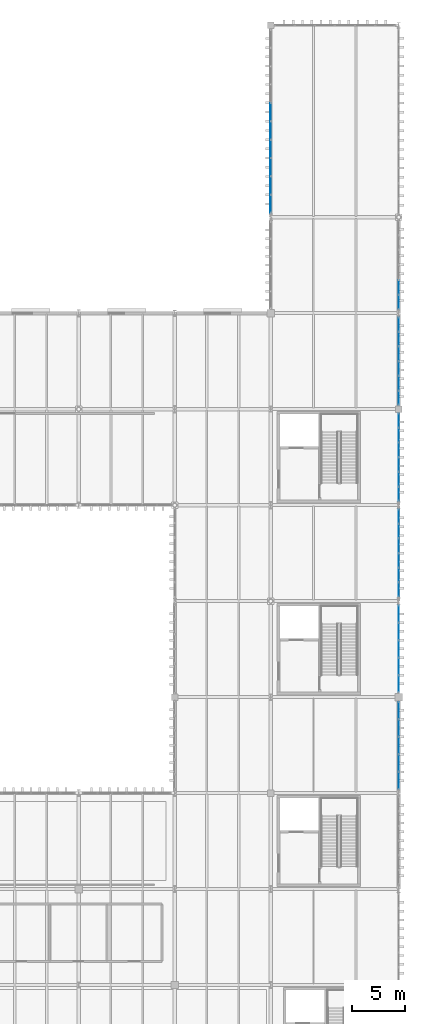
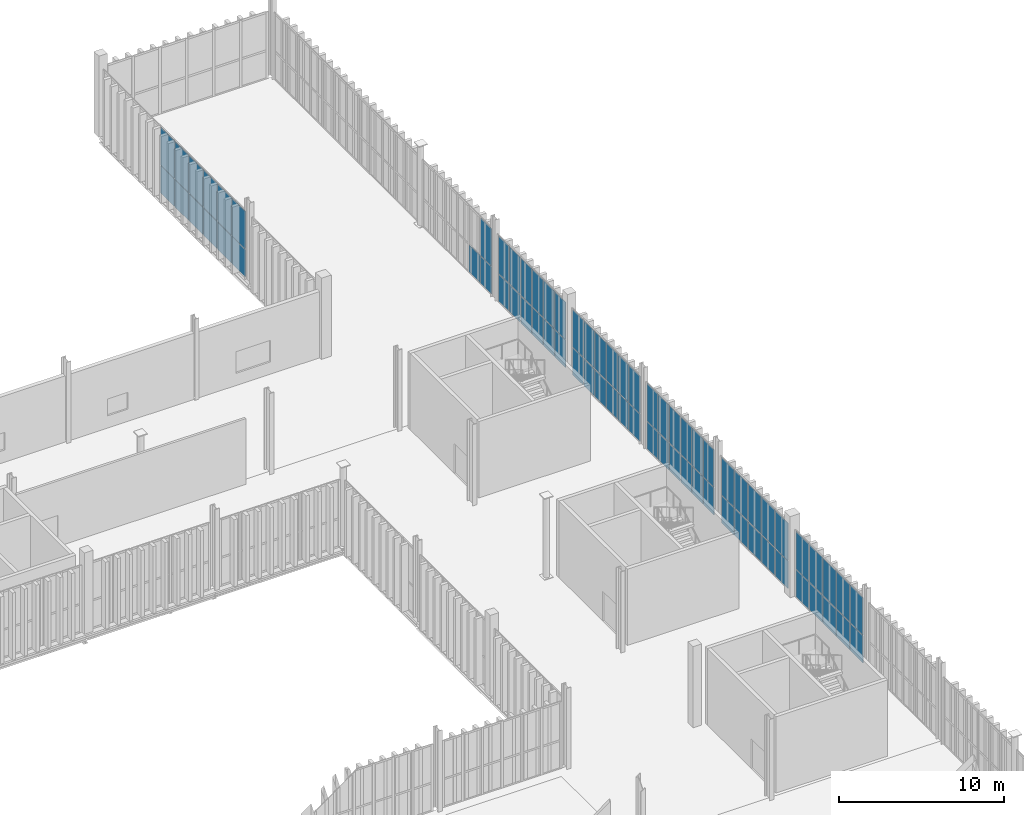
# One storey, part 165 of 211: 71 plates, 7 elements without a shape of their own.
"""IFC4 building model written with IfcOpenShell, lengths in metres."""

from ifc_helpers import new_model, si_unit, direction, frame, origin, origin_2d, place, context, subcontext, project, spatial, rectangle, extrude, material, layer, layer_set, type_object, element, aggregate, save


model = new_model("IFC4")

# Units and contexts
model_context = context("Model", 3, precision=1e-05, world=origin(), true_north=direction((0.0, 1.0)))
body_context = subcontext(model_context, "Body", "Model", "MODEL_VIEW")
ifc_project = project(units=[si_unit("LENGTHUNIT", "METRE"), si_unit("AREAUNIT", "SQUARE_METRE"), si_unit("VOLUMEUNIT", "CUBIC_METRE"), si_unit("PLANEANGLEUNIT", "RADIAN"), si_unit("MASSUNIT", "GRAM", prefix="KILO")], contexts=[model_context])

# Site, building, storey
site_placement = place(None, origin())
site = spatial("IfcSite", under=ifc_project, at=site_placement, CompositionType="ELEMENT")
building_placement = place(site_placement, origin())
building = spatial("IfcBuilding", under=site, at=building_placement, Name="Barlavento Convention Centre", CompositionType="ELEMENT")
storey_placement = place(building_placement, frame((0.0, 0.0, 6.0)))
storey = spatial("IfcBuildingStorey", under=building, at=storey_placement, Name="L01", CompositionType="ELEMENT", Elevation=6.0)

# Curtain wall, plates
ifc_material_1 = material(Name="Powder-coated aluminium and Low-E glass", Category="aluminium")
ifc_layer_1 = layer(ifc_material_1, 0.195068359375)
ifc_layer_set_1 = layer_set([ifc_layer_1], Name="ARC-CW-FOY-L01")
curtain_wall_type_1 = type_object("IfcCurtainWallType", Name="ARC-CW-FOY-L01", PredefinedType="NOTDEFINED", material=ifc_layer_set_1)
curtain_wall_1_placement = place(storey_placement, origin())
curtain_wall_1 = element("IfcCurtainWall", 1, at=curtain_wall_1_placement, inside=storey, type_object=curtain_wall_type_1, Name="L01 unitised curtain wall CW03", PredefinedType="NOTDEFINED")
ifc_material_2 = material(Name="Double-silver Low-E insulated glass", Category="glass")
ifc_layer_2 = layer(ifc_material_2, 0.028076171875)
ifc_layer_set_2 = layer_set([ifc_layer_2], Name="ARC-CWP-GLZ28")
plate_type_1 = type_object("IfcPlateType", Name="ARC-CWP-GLZ28", PredefinedType="CURTAIN_PANEL", material=ifc_layer_set_2)
plate_1_placement = place(storey_placement, frame((192.0, 64.171875, 0.06005859375), z_axis=(0.0, 0.0, 1.0), x_axis=(0.0, 1.0, 0.0)))
plate_1 = element("IfcPlate", 2, at=plate_1_placement, type_object=plate_type_1, Name="CW03 panel 1.1", PredefinedType="CURTAIN_PANEL", context=body_context, shape_type="SweptSolid", body=[
    extrude(rectangle(XDim=1.5595703125, YDim=0.028076171875, at=origin_2d()), origin(), (0.0, 0.0, 1.0), 2.010009765625),
])
plate_2_placement = place(storey_placement, frame((192.0, 64.171875, 2.1298828125), z_axis=(0.0, 0.0, 1.0), x_axis=(0.0, 1.0, 0.0)))
plate_2 = element("IfcPlate", 3, at=plate_2_placement, type_object=plate_type_1, Name="CW03 panel 1.2", PredefinedType="CURTAIN_PANEL", context=body_context, shape_type="SweptSolid", body=[
    extrude(rectangle(XDim=1.5595703125, YDim=0.028076171875, at=origin_2d()), origin(), (0.0, 0.0, 1.0), 2.760009765625),
])
plate_3_placement = place(storey_placement, frame((192.0, 65.806396484375, 0.06005859375), z_axis=(0.0, 0.0, 1.0), x_axis=(0.0, 1.0, 0.0)))
plate_3 = element("IfcPlate", 4, at=plate_3_placement, type_object=plate_type_1, Name="CW03 panel 2.1", PredefinedType="CURTAIN_PANEL", context=body_context, shape_type="SweptSolid", body=[
    extrude(rectangle(XDim=1.589599609375, YDim=0.028076171875, at=origin_2d()), origin(), (0.0, 0.0, 1.0), 2.010009765625),
])
plate_4_placement = place(storey_placement, frame((192.0, 65.806396484375, 2.1298828125), z_axis=(0.0, 0.0, 1.0), x_axis=(0.0, 1.0, 0.0)))
plate_4 = element("IfcPlate", 5, at=plate_4_placement, type_object=plate_type_1, Name="CW03 panel 2.2", PredefinedType="CURTAIN_PANEL", context=body_context, shape_type="SweptSolid", body=[
    extrude(rectangle(XDim=1.589599609375, YDim=0.028076171875, at=origin_2d()), origin(), (0.0, 0.0, 1.0), 2.760009765625),
])
plate_5_placement = place(storey_placement, frame((192.0, 67.4560546875, 0.06005859375), z_axis=(0.0, 0.0, 1.0), x_axis=(0.0, 1.0, 0.0)))
plate_5 = element("IfcPlate", 6, at=plate_5_placement, type_object=plate_type_1, Name="CW03 panel 3.1", PredefinedType="CURTAIN_PANEL", context=body_context, shape_type="SweptSolid", body=[
    extrude(rectangle(XDim=1.589599609375, YDim=0.028076171875, at=origin_2d()), origin(), (0.0, 0.0, 1.0), 2.010009765625),
])
plate_6_placement = place(storey_placement, frame((192.0, 67.4560546875, 2.1298828125), z_axis=(0.0, 0.0, 1.0), x_axis=(0.0, 1.0, 0.0)))
plate_6 = element("IfcPlate", 7, at=plate_6_placement, type_object=plate_type_1, Name="CW03 panel 3.2", PredefinedType="CURTAIN_PANEL", context=body_context, shape_type="SweptSolid", body=[
    extrude(rectangle(XDim=1.589599609375, YDim=0.028076171875, at=origin_2d()), origin(), (0.0, 0.0, 1.0), 2.760009765625),
])
plate_7_placement = place(storey_placement, frame((192.0, 69.105712890625, 0.06005859375), z_axis=(0.0, 0.0, 1.0), x_axis=(0.0, 1.0, 0.0)))
plate_7 = element("IfcPlate", 8, at=plate_7_placement, type_object=plate_type_1, Name="CW03 panel 4.1", PredefinedType="CURTAIN_PANEL", context=body_context, shape_type="SweptSolid", body=[
    extrude(rectangle(XDim=1.589599609375, YDim=0.028076171875, at=origin_2d()), origin(), (0.0, 0.0, 1.0), 2.010009765625),
])
plate_8_placement = place(storey_placement, frame((192.0, 69.105712890625, 2.1298828125), z_axis=(0.0, 0.0, 1.0), x_axis=(0.0, 1.0, 0.0)))
plate_8 = element("IfcPlate", 9, at=plate_8_placement, type_object=plate_type_1, Name="CW03 panel 4.2", PredefinedType="CURTAIN_PANEL", context=body_context, shape_type="SweptSolid", body=[
    extrude(rectangle(XDim=1.589599609375, YDim=0.028076171875, at=origin_2d()), origin(), (0.0, 0.0, 1.0), 2.760009765625),
])
plate_9_placement = place(storey_placement, frame((192.0, 70.740234375, 0.06005859375), z_axis=(0.0, 0.0, 1.0), x_axis=(0.0, 1.0, 0.0)))
plate_9 = element("IfcPlate", 10, at=plate_9_placement, type_object=plate_type_1, Name="CW03 panel 5.1", PredefinedType="CURTAIN_PANEL", context=body_context, shape_type="SweptSolid", body=[
    extrude(rectangle(XDim=1.5595703125, YDim=0.028076171875, at=origin_2d()), origin(), (0.0, 0.0, 1.0), 2.010009765625),
])
plate_10_placement = place(storey_placement, frame((192.0, 70.740234375, 2.1298828125), z_axis=(0.0, 0.0, 1.0), x_axis=(0.0, 1.0, 0.0)))
plate_10 = element("IfcPlate", 11, at=plate_10_placement, type_object=plate_type_1, Name="CW03 panel 5.2", PredefinedType="CURTAIN_PANEL", context=body_context, shape_type="SweptSolid", body=[
    extrude(rectangle(XDim=1.5595703125, YDim=0.028076171875, at=origin_2d()), origin(), (0.0, 0.0, 1.0), 2.760009765625),
])
aggregate(curtain_wall_1, [plate_1, plate_2, plate_3, plate_4, plate_5, plate_6, plate_7, plate_8, plate_9, plate_10])

curtain_wall_2_placement = place(storey_placement, origin())
curtain_wall_2 = element("IfcCurtainWall", 12, at=curtain_wall_2_placement, inside=storey, type_object=curtain_wall_type_1, Name="L01 unitised curtain wall CW03", PredefinedType="NOTDEFINED")
plate_11_placement = place(storey_placement, frame((192.0, 73.2548828125, 0.06005859375), z_axis=(0.0, 0.0, 1.0), x_axis=(0.0, 1.0, 0.0)))
plate_11 = element("IfcPlate", 13, at=plate_11_placement, type_object=plate_type_1, Name="CW03 panel 1.1", PredefinedType="CURTAIN_PANEL", context=body_context, shape_type="SweptSolid", body=[
    extrude(rectangle(XDim=1.550048828125, YDim=0.028076171875, at=origin_2d()), origin(), (0.0, 0.0, 1.0), 2.010009765625),
])
plate_12_placement = place(storey_placement, frame((192.0, 73.2548828125, 2.1298828125), z_axis=(0.0, 0.0, 1.0), x_axis=(0.0, 1.0, 0.0)))
plate_12 = element("IfcPlate", 14, at=plate_12_placement, type_object=plate_type_1, Name="CW03 panel 1.2", PredefinedType="CURTAIN_PANEL", context=body_context, shape_type="SweptSolid", body=[
    extrude(rectangle(XDim=1.550048828125, YDim=0.028076171875, at=origin_2d()), origin(), (0.0, 0.0, 1.0), 2.760009765625),
])
plate_13_placement = place(storey_placement, frame((192.0, 74.8798828125, 0.06005859375), z_axis=(0.0, 0.0, 1.0), x_axis=(0.0, 1.0, 0.0)))
plate_13 = element("IfcPlate", 15, at=plate_13_placement, type_object=plate_type_1, Name="CW03 panel 2.1", PredefinedType="CURTAIN_PANEL", context=body_context, shape_type="SweptSolid", body=[
    extrude(rectangle(XDim=1.580078125, YDim=0.028076171875, at=origin_2d()), origin(), (0.0, 0.0, 1.0), 2.010009765625),
])
plate_14_placement = place(storey_placement, frame((192.0, 74.8798828125, 2.1298828125), z_axis=(0.0, 0.0, 1.0), x_axis=(0.0, 1.0, 0.0)))
plate_14 = element("IfcPlate", 16, at=plate_14_placement, type_object=plate_type_1, Name="CW03 panel 2.2", PredefinedType="CURTAIN_PANEL", context=body_context, shape_type="SweptSolid", body=[
    extrude(rectangle(XDim=1.580078125, YDim=0.028076171875, at=origin_2d()), origin(), (0.0, 0.0, 1.0), 2.760009765625),
])
plate_15_placement = place(storey_placement, frame((192.0, 76.52001953125, 0.06005859375), z_axis=(0.0, 0.0, 1.0), x_axis=(0.0, 1.0, 0.0)))
plate_15 = element("IfcPlate", 17, at=plate_15_placement, type_object=plate_type_1, Name="CW03 panel 3.1", PredefinedType="CURTAIN_PANEL", context=body_context, shape_type="SweptSolid", body=[
    extrude(rectangle(XDim=1.580078125, YDim=0.028076171875, at=origin_2d()), origin(), (0.0, 0.0, 1.0), 2.010009765625),
])
plate_16_placement = place(storey_placement, frame((192.0, 76.52001953125, 2.1298828125), z_axis=(0.0, 0.0, 1.0), x_axis=(0.0, 1.0, 0.0)))
plate_16 = element("IfcPlate", 18, at=plate_16_placement, type_object=plate_type_1, Name="CW03 panel 3.2", PredefinedType="CURTAIN_PANEL", context=body_context, shape_type="SweptSolid", body=[
    extrude(rectangle(XDim=1.580078125, YDim=0.028076171875, at=origin_2d()), origin(), (0.0, 0.0, 1.0), 2.760009765625),
])
plate_17_placement = place(storey_placement, frame((192.0, 78.159912109375, 0.06005859375), z_axis=(0.0, 0.0, 1.0), x_axis=(0.0, 1.0, 0.0)))
plate_17 = element("IfcPlate", 19, at=plate_17_placement, type_object=plate_type_1, Name="CW03 panel 4.1", PredefinedType="CURTAIN_PANEL", context=body_context, shape_type="SweptSolid", body=[
    extrude(rectangle(XDim=1.580078125, YDim=0.028076171875, at=origin_2d()), origin(), (0.0, 0.0, 1.0), 2.010009765625),
])
plate_18_placement = place(storey_placement, frame((192.0, 78.159912109375, 2.1298828125), z_axis=(0.0, 0.0, 1.0), x_axis=(0.0, 1.0, 0.0)))
plate_18 = element("IfcPlate", 20, at=plate_18_placement, type_object=plate_type_1, Name="CW03 panel 4.2", PredefinedType="CURTAIN_PANEL", context=body_context, shape_type="SweptSolid", body=[
    extrude(rectangle(XDim=1.580078125, YDim=0.028076171875, at=origin_2d()), origin(), (0.0, 0.0, 1.0), 2.760009765625),
])
plate_19_placement = place(storey_placement, frame((192.0, 79.784912109375, 0.06005859375), z_axis=(0.0, 0.0, 1.0), x_axis=(0.0, 1.0, 0.0)))
plate_19 = element("IfcPlate", 21, at=plate_19_placement, type_object=plate_type_1, Name="CW03 panel 5.1", PredefinedType="CURTAIN_PANEL", context=body_context, shape_type="SweptSolid", body=[
    extrude(rectangle(XDim=1.550048828125, YDim=0.028076171875, at=origin_2d()), origin(), (0.0, 0.0, 1.0), 2.010009765625),
])
plate_20_placement = place(storey_placement, frame((192.0, 79.784912109375, 2.1298828125), z_axis=(0.0, 0.0, 1.0), x_axis=(0.0, 1.0, 0.0)))
plate_20 = element("IfcPlate", 22, at=plate_20_placement, type_object=plate_type_1, Name="CW03 panel 5.2", PredefinedType="CURTAIN_PANEL", context=body_context, shape_type="SweptSolid", body=[
    extrude(rectangle(XDim=1.550048828125, YDim=0.028076171875, at=origin_2d()), origin(), (0.0, 0.0, 1.0), 2.760009765625),
])
aggregate(curtain_wall_2, [plate_11, plate_12, plate_13, plate_14, plate_15, plate_16, plate_17, plate_18, plate_19, plate_20])

curtain_wall_3_placement = place(storey_placement, origin())
curtain_wall_3 = element("IfcCurtainWall", 23, at=curtain_wall_3_placement, inside=storey, type_object=curtain_wall_type_1, Name="L01 unitised curtain wall CW03", PredefinedType="NOTDEFINED")
plate_21_placement = place(storey_placement, frame((192.0, 82.08251953125, 0.06005859375), z_axis=(0.0, 0.0, 1.0), x_axis=(0.0, 1.0, 0.0)))
plate_21 = element("IfcPlate", 24, at=plate_21_placement, type_object=plate_type_1, Name="CW03 panel 1.1", PredefinedType="CURTAIN_PANEL", context=body_context, shape_type="SweptSolid", body=[
    extrude(rectangle(XDim=1.284912109375, YDim=0.028076171875, at=origin_2d()), origin(), (0.0, 0.0, 1.0), 2.010009765625),
])
plate_22_placement = place(storey_placement, frame((192.0, 82.08251953125, 2.1298828125), z_axis=(0.0, 0.0, 1.0), x_axis=(0.0, 1.0, 0.0)))
plate_22 = element("IfcPlate", 25, at=plate_22_placement, type_object=plate_type_1, Name="CW03 panel 1.2", PredefinedType="CURTAIN_PANEL", context=body_context, shape_type="SweptSolid", body=[
    extrude(rectangle(XDim=1.284912109375, YDim=0.028076171875, at=origin_2d()), origin(), (0.0, 0.0, 1.0), 2.760009765625),
])
plate_23_placement = place(storey_placement, frame((192.0, 83.4423828125, 0.06005859375), z_axis=(0.0, 0.0, 1.0), x_axis=(0.0, 1.0, 0.0)))
plate_23 = element("IfcPlate", 26, at=plate_23_placement, type_object=plate_type_1, Name="CW03 panel 2.1", PredefinedType="CURTAIN_PANEL", context=body_context, shape_type="SweptSolid", body=[
    extrude(rectangle(XDim=1.31494140625, YDim=0.028076171875, at=origin_2d()), origin(), (0.0, 0.0, 1.0), 2.010009765625),
])
plate_24_placement = place(storey_placement, frame((192.0, 83.4423828125, 2.1298828125), z_axis=(0.0, 0.0, 1.0), x_axis=(0.0, 1.0, 0.0)))
plate_24 = element("IfcPlate", 27, at=plate_24_placement, type_object=plate_type_1, Name="CW03 panel 2.2", PredefinedType="CURTAIN_PANEL", context=body_context, shape_type="SweptSolid", body=[
    extrude(rectangle(XDim=1.31494140625, YDim=0.028076171875, at=origin_2d()), origin(), (0.0, 0.0, 1.0), 2.760009765625),
])
plate_25_placement = place(storey_placement, frame((192.0, 84.8173828125, 0.06005859375), z_axis=(0.0, 0.0, 1.0), x_axis=(0.0, 1.0, 0.0)))
plate_25 = element("IfcPlate", 28, at=plate_25_placement, type_object=plate_type_1, Name="CW03 panel 3.1", PredefinedType="CURTAIN_PANEL", context=body_context, shape_type="SweptSolid", body=[
    extrude(rectangle(XDim=1.31494140625, YDim=0.028076171875, at=origin_2d()), origin(), (0.0, 0.0, 1.0), 2.010009765625),
])
plate_26_placement = place(storey_placement, frame((192.0, 84.8173828125, 2.1298828125), z_axis=(0.0, 0.0, 1.0), x_axis=(0.0, 1.0, 0.0)))
plate_26 = element("IfcPlate", 29, at=plate_26_placement, type_object=plate_type_1, Name="CW03 panel 3.2", PredefinedType="CURTAIN_PANEL", context=body_context, shape_type="SweptSolid", body=[
    extrude(rectangle(XDim=1.31494140625, YDim=0.028076171875, at=origin_2d()), origin(), (0.0, 0.0, 1.0), 2.760009765625),
])
plate_27_placement = place(storey_placement, frame((192.0, 86.1923828125, 0.06005859375), z_axis=(0.0, 0.0, 1.0), x_axis=(0.0, 1.0, 0.0)))
plate_27 = element("IfcPlate", 30, at=plate_27_placement, type_object=plate_type_1, Name="CW03 panel 4.1", PredefinedType="CURTAIN_PANEL", context=body_context, shape_type="SweptSolid", body=[
    extrude(rectangle(XDim=1.31494140625, YDim=0.028076171875, at=origin_2d()), origin(), (0.0, 0.0, 1.0), 2.010009765625),
])
plate_28_placement = place(storey_placement, frame((192.0, 86.1923828125, 2.1298828125), z_axis=(0.0, 0.0, 1.0), x_axis=(0.0, 1.0, 0.0)))
plate_28 = element("IfcPlate", 31, at=plate_28_placement, type_object=plate_type_1, Name="CW03 panel 4.2", PredefinedType="CURTAIN_PANEL", context=body_context, shape_type="SweptSolid", body=[
    extrude(rectangle(XDim=1.31494140625, YDim=0.028076171875, at=origin_2d()), origin(), (0.0, 0.0, 1.0), 2.760009765625),
])
plate_29_placement = place(storey_placement, frame((192.0, 87.5673828125, 0.06005859375), z_axis=(0.0, 0.0, 1.0), x_axis=(0.0, 1.0, 0.0)))
plate_29 = element("IfcPlate", 32, at=plate_29_placement, type_object=plate_type_1, Name="CW03 panel 5.1", PredefinedType="CURTAIN_PANEL", context=body_context, shape_type="SweptSolid", body=[
    extrude(rectangle(XDim=1.31494140625, YDim=0.028076171875, at=origin_2d()), origin(), (0.0, 0.0, 1.0), 2.010009765625),
])
plate_30_placement = place(storey_placement, frame((192.0, 87.5673828125, 2.1298828125), z_axis=(0.0, 0.0, 1.0), x_axis=(0.0, 1.0, 0.0)))
plate_30 = element("IfcPlate", 33, at=plate_30_placement, type_object=plate_type_1, Name="CW03 panel 5.2", PredefinedType="CURTAIN_PANEL", context=body_context, shape_type="SweptSolid", body=[
    extrude(rectangle(XDim=1.31494140625, YDim=0.028076171875, at=origin_2d()), origin(), (0.0, 0.0, 1.0), 2.760009765625),
])
plate_31_placement = place(storey_placement, frame((192.0, 88.927490234375, 0.06005859375), z_axis=(0.0, 0.0, 1.0), x_axis=(0.0, 1.0, 0.0)))
plate_31 = element("IfcPlate", 34, at=plate_31_placement, type_object=plate_type_1, Name="CW03 panel 6.1", PredefinedType="CURTAIN_PANEL", context=body_context, shape_type="SweptSolid", body=[
    extrude(rectangle(XDim=1.284912109375, YDim=0.028076171875, at=origin_2d()), origin(), (0.0, 0.0, 1.0), 2.010009765625),
])
plate_32_placement = place(storey_placement, frame((192.0, 88.927490234375, 2.1298828125), z_axis=(0.0, 0.0, 1.0), x_axis=(0.0, 1.0, 0.0)))
plate_32 = element("IfcPlate", 35, at=plate_32_placement, type_object=plate_type_1, Name="CW03 panel 6.2", PredefinedType="CURTAIN_PANEL", context=body_context, shape_type="SweptSolid", body=[
    extrude(rectangle(XDim=1.284912109375, YDim=0.028076171875, at=origin_2d()), origin(), (0.0, 0.0, 1.0), 2.760009765625),
])
aggregate(curtain_wall_3, [plate_21, plate_22, plate_23, plate_24, plate_25, plate_26, plate_27, plate_28, plate_29, plate_30, plate_31, plate_32])

curtain_wall_4_placement = place(storey_placement, origin())
curtain_wall_4 = element("IfcCurtainWall", 36, at=curtain_wall_4_placement, inside=storey, type_object=curtain_wall_type_1, Name="L01 unitised curtain wall CW03", PredefinedType="NOTDEFINED")
plate_33_placement = place(storey_placement, frame((192.0, 91.0732421875, 0.06005859375), z_axis=(0.0, 0.0, 1.0), x_axis=(0.0, 1.0, 0.0)))
plate_33 = element("IfcPlate", 37, at=plate_33_placement, type_object=plate_type_1, Name="CW03 panel 1.1", PredefinedType="CURTAIN_PANEL", context=body_context, shape_type="SweptSolid", body=[
    extrude(rectangle(XDim=1.28662109375, YDim=0.028076171875, at=origin_2d()), origin(), (0.0, 0.0, 1.0), 2.010009765625),
])
plate_34_placement = place(storey_placement, frame((192.0, 91.0732421875, 2.1298828125), z_axis=(0.0, 0.0, 1.0), x_axis=(0.0, 1.0, 0.0)))
plate_34 = element("IfcPlate", 38, at=plate_34_placement, type_object=plate_type_1, Name="CW03 panel 1.2", PredefinedType="CURTAIN_PANEL", context=body_context, shape_type="SweptSolid", body=[
    extrude(rectangle(XDim=1.28662109375, YDim=0.028076171875, at=origin_2d()), origin(), (0.0, 0.0, 1.0), 2.760009765625),
])
plate_35_placement = place(storey_placement, frame((192.0, 92.43505859375, 0.06005859375), z_axis=(0.0, 0.0, 1.0), x_axis=(0.0, 1.0, 0.0)))
plate_35 = element("IfcPlate", 39, at=plate_35_placement, type_object=plate_type_1, Name="CW03 panel 2.1", PredefinedType="CURTAIN_PANEL", context=body_context, shape_type="SweptSolid", body=[
    extrude(rectangle(XDim=1.316650390625, YDim=0.028076171875, at=origin_2d()), origin(), (0.0, 0.0, 1.0), 2.010009765625),
])
plate_36_placement = place(storey_placement, frame((192.0, 92.43505859375, 2.1298828125), z_axis=(0.0, 0.0, 1.0), x_axis=(0.0, 1.0, 0.0)))
plate_36 = element("IfcPlate", 40, at=plate_36_placement, type_object=plate_type_1, Name="CW03 panel 2.2", PredefinedType="CURTAIN_PANEL", context=body_context, shape_type="SweptSolid", body=[
    extrude(rectangle(XDim=1.316650390625, YDim=0.028076171875, at=origin_2d()), origin(), (0.0, 0.0, 1.0), 2.760009765625),
])
plate_37_placement = place(storey_placement, frame((192.0, 93.811767578125, 0.06005859375), z_axis=(0.0, 0.0, 1.0), x_axis=(0.0, 1.0, 0.0)))
plate_37 = element("IfcPlate", 41, at=plate_37_placement, type_object=plate_type_1, Name="CW03 panel 3.1", PredefinedType="CURTAIN_PANEL", context=body_context, shape_type="SweptSolid", body=[
    extrude(rectangle(XDim=1.316650390625, YDim=0.028076171875, at=origin_2d()), origin(), (0.0, 0.0, 1.0), 2.010009765625),
])
plate_38_placement = place(storey_placement, frame((192.0, 93.811767578125, 2.1298828125), z_axis=(0.0, 0.0, 1.0), x_axis=(0.0, 1.0, 0.0)))
plate_38 = element("IfcPlate", 42, at=plate_38_placement, type_object=plate_type_1, Name="CW03 panel 3.2", PredefinedType="CURTAIN_PANEL", context=body_context, shape_type="SweptSolid", body=[
    extrude(rectangle(XDim=1.316650390625, YDim=0.028076171875, at=origin_2d()), origin(), (0.0, 0.0, 1.0), 2.760009765625),
])
plate_39_placement = place(storey_placement, frame((192.0, 95.188232421875, 0.06005859375), z_axis=(0.0, 0.0, 1.0), x_axis=(0.0, 1.0, 0.0)))
plate_39 = element("IfcPlate", 43, at=plate_39_placement, type_object=plate_type_1, Name="CW03 panel 4.1", PredefinedType="CURTAIN_PANEL", context=body_context, shape_type="SweptSolid", body=[
    extrude(rectangle(XDim=1.316650390625, YDim=0.028076171875, at=origin_2d()), origin(), (0.0, 0.0, 1.0), 2.010009765625),
])
plate_40_placement = place(storey_placement, frame((192.0, 95.188232421875, 2.1298828125), z_axis=(0.0, 0.0, 1.0), x_axis=(0.0, 1.0, 0.0)))
plate_40 = element("IfcPlate", 44, at=plate_40_placement, type_object=plate_type_1, Name="CW03 panel 4.2", PredefinedType="CURTAIN_PANEL", context=body_context, shape_type="SweptSolid", body=[
    extrude(rectangle(XDim=1.316650390625, YDim=0.028076171875, at=origin_2d()), origin(), (0.0, 0.0, 1.0), 2.760009765625),
])
plate_41_placement = place(storey_placement, frame((192.0, 96.56494140625, 0.06005859375), z_axis=(0.0, 0.0, 1.0), x_axis=(0.0, 1.0, 0.0)))
plate_41 = element("IfcPlate", 45, at=plate_41_placement, type_object=plate_type_1, Name="CW03 panel 5.1", PredefinedType="CURTAIN_PANEL", context=body_context, shape_type="SweptSolid", body=[
    extrude(rectangle(XDim=1.316650390625, YDim=0.028076171875, at=origin_2d()), origin(), (0.0, 0.0, 1.0), 2.010009765625),
])
plate_42_placement = place(storey_placement, frame((192.0, 96.56494140625, 2.1298828125), z_axis=(0.0, 0.0, 1.0), x_axis=(0.0, 1.0, 0.0)))
plate_42 = element("IfcPlate", 46, at=plate_42_placement, type_object=plate_type_1, Name="CW03 panel 5.2", PredefinedType="CURTAIN_PANEL", context=body_context, shape_type="SweptSolid", body=[
    extrude(rectangle(XDim=1.316650390625, YDim=0.028076171875, at=origin_2d()), origin(), (0.0, 0.0, 1.0), 2.760009765625),
])
plate_43_placement = place(storey_placement, frame((192.0, 97.9267578125, 0.06005859375), z_axis=(0.0, 0.0, 1.0), x_axis=(0.0, 1.0, 0.0)))
plate_43 = element("IfcPlate", 47, at=plate_43_placement, type_object=plate_type_1, Name="CW03 panel 6.1", PredefinedType="CURTAIN_PANEL", context=body_context, shape_type="SweptSolid", body=[
    extrude(rectangle(XDim=1.28662109375, YDim=0.028076171875, at=origin_2d()), origin(), (0.0, 0.0, 1.0), 2.010009765625),
])
plate_44_placement = place(storey_placement, frame((192.0, 97.9267578125, 2.1298828125), z_axis=(0.0, 0.0, 1.0), x_axis=(0.0, 1.0, 0.0)))
plate_44 = element("IfcPlate", 48, at=plate_44_placement, type_object=plate_type_1, Name="CW03 panel 6.2", PredefinedType="CURTAIN_PANEL", context=body_context, shape_type="SweptSolid", body=[
    extrude(rectangle(XDim=1.28662109375, YDim=0.028076171875, at=origin_2d()), origin(), (0.0, 0.0, 1.0), 2.760009765625),
])
aggregate(curtain_wall_4, [plate_33, plate_34, plate_35, plate_36, plate_37, plate_38, plate_39, plate_40, plate_41, plate_42, plate_43, plate_44])

curtain_wall_5_placement = place(storey_placement, origin())
curtain_wall_5 = element("IfcCurtainWall", 49, at=curtain_wall_5_placement, inside=storey, type_object=curtain_wall_type_1, Name="L01 unitised curtain wall CW03", PredefinedType="NOTDEFINED")
plate_45_placement = place(storey_placement, frame((192.0, 100.074462890625, 0.06005859375), z_axis=(0.0, 0.0, 1.0), x_axis=(0.0, 1.0, 0.0)))
plate_45 = element("IfcPlate", 50, at=plate_45_placement, type_object=plate_type_1, Name="CW03 panel 1.1", PredefinedType="CURTAIN_PANEL", context=body_context, shape_type="SweptSolid", body=[
    extrude(rectangle(XDim=1.2890625, YDim=0.028076171875, at=origin_2d()), origin(), (0.0, 0.0, 1.0), 2.010009765625),
])
plate_46_placement = place(storey_placement, frame((192.0, 100.074462890625, 2.1298828125), z_axis=(0.0, 0.0, 1.0), x_axis=(0.0, 1.0, 0.0)))
plate_46 = element("IfcPlate", 51, at=plate_46_placement, type_object=plate_type_1, Name="CW03 panel 1.2", PredefinedType="CURTAIN_PANEL", context=body_context, shape_type="SweptSolid", body=[
    extrude(rectangle(XDim=1.2890625, YDim=0.028076171875, at=origin_2d()), origin(), (0.0, 0.0, 1.0), 2.760009765625),
])
plate_47_placement = place(storey_placement, frame((192.0, 101.4384765625, 0.06005859375), z_axis=(0.0, 0.0, 1.0), x_axis=(0.0, 1.0, 0.0)))
plate_47 = element("IfcPlate", 52, at=plate_47_placement, type_object=plate_type_1, Name="CW03 panel 2.1", PredefinedType="CURTAIN_PANEL", context=body_context, shape_type="SweptSolid", body=[
    extrude(rectangle(XDim=1.319091796875, YDim=0.028076171875, at=origin_2d()), origin(), (0.0, 0.0, 1.0), 2.010009765625),
])
plate_48_placement = place(storey_placement, frame((192.0, 101.4384765625, 2.1298828125), z_axis=(0.0, 0.0, 1.0), x_axis=(0.0, 1.0, 0.0)))
plate_48 = element("IfcPlate", 53, at=plate_48_placement, type_object=plate_type_1, Name="CW03 panel 2.2", PredefinedType="CURTAIN_PANEL", context=body_context, shape_type="SweptSolid", body=[
    extrude(rectangle(XDim=1.319091796875, YDim=0.028076171875, at=origin_2d()), origin(), (0.0, 0.0, 1.0), 2.760009765625),
])
plate_49_placement = place(storey_placement, frame((192.0, 102.8173828125, 0.06005859375), z_axis=(0.0, 0.0, 1.0), x_axis=(0.0, 1.0, 0.0)))
plate_49 = element("IfcPlate", 54, at=plate_49_placement, type_object=plate_type_1, Name="CW03 panel 3.1", PredefinedType="CURTAIN_PANEL", context=body_context, shape_type="SweptSolid", body=[
    extrude(rectangle(XDim=1.319091796875, YDim=0.028076171875, at=origin_2d()), origin(), (0.0, 0.0, 1.0), 2.010009765625),
])
plate_50_placement = place(storey_placement, frame((192.0, 102.8173828125, 2.1298828125), z_axis=(0.0, 0.0, 1.0), x_axis=(0.0, 1.0, 0.0)))
plate_50 = element("IfcPlate", 55, at=plate_50_placement, type_object=plate_type_1, Name="CW03 panel 3.2", PredefinedType="CURTAIN_PANEL", context=body_context, shape_type="SweptSolid", body=[
    extrude(rectangle(XDim=1.319091796875, YDim=0.028076171875, at=origin_2d()), origin(), (0.0, 0.0, 1.0), 2.760009765625),
])
plate_51_placement = place(storey_placement, frame((192.0, 104.196533203125, 0.06005859375), z_axis=(0.0, 0.0, 1.0), x_axis=(0.0, 1.0, 0.0)))
plate_51 = element("IfcPlate", 56, at=plate_51_placement, type_object=plate_type_1, Name="CW03 panel 4.1", PredefinedType="CURTAIN_PANEL", context=body_context, shape_type="SweptSolid", body=[
    extrude(rectangle(XDim=1.319091796875, YDim=0.028076171875, at=origin_2d()), origin(), (0.0, 0.0, 1.0), 2.010009765625),
])
plate_52_placement = place(storey_placement, frame((192.0, 104.196533203125, 2.1298828125), z_axis=(0.0, 0.0, 1.0), x_axis=(0.0, 1.0, 0.0)))
plate_52 = element("IfcPlate", 57, at=plate_52_placement, type_object=plate_type_1, Name="CW03 panel 4.2", PredefinedType="CURTAIN_PANEL", context=body_context, shape_type="SweptSolid", body=[
    extrude(rectangle(XDim=1.319091796875, YDim=0.028076171875, at=origin_2d()), origin(), (0.0, 0.0, 1.0), 2.760009765625),
])
plate_53_placement = place(storey_placement, frame((192.0, 105.575439453125, 0.06005859375), z_axis=(0.0, 0.0, 1.0), x_axis=(0.0, 1.0, 0.0)))
plate_53 = element("IfcPlate", 58, at=plate_53_placement, type_object=plate_type_1, Name="CW03 panel 5.1", PredefinedType="CURTAIN_PANEL", context=body_context, shape_type="SweptSolid", body=[
    extrude(rectangle(XDim=1.319091796875, YDim=0.028076171875, at=origin_2d()), origin(), (0.0, 0.0, 1.0), 2.010009765625),
])
plate_54_placement = place(storey_placement, frame((192.0, 105.575439453125, 2.1298828125), z_axis=(0.0, 0.0, 1.0), x_axis=(0.0, 1.0, 0.0)))
plate_54 = element("IfcPlate", 59, at=plate_54_placement, type_object=plate_type_1, Name="CW03 panel 5.2", PredefinedType="CURTAIN_PANEL", context=body_context, shape_type="SweptSolid", body=[
    extrude(rectangle(XDim=1.319091796875, YDim=0.028076171875, at=origin_2d()), origin(), (0.0, 0.0, 1.0), 2.760009765625),
])
plate_55_placement = place(storey_placement, frame((192.0, 106.939453125, 0.06005859375), z_axis=(0.0, 0.0, 1.0), x_axis=(0.0, 1.0, 0.0)))
plate_55 = element("IfcPlate", 60, at=plate_55_placement, type_object=plate_type_1, Name="CW03 panel 6.1", PredefinedType="CURTAIN_PANEL", context=body_context, shape_type="SweptSolid", body=[
    extrude(rectangle(XDim=1.2890625, YDim=0.028076171875, at=origin_2d()), origin(), (0.0, 0.0, 1.0), 2.010009765625),
])
plate_56_placement = place(storey_placement, frame((192.0, 106.939453125, 2.1298828125), z_axis=(0.0, 0.0, 1.0), x_axis=(0.0, 1.0, 0.0)))
plate_56 = element("IfcPlate", 61, at=plate_56_placement, type_object=plate_type_1, Name="CW03 panel 6.2", PredefinedType="CURTAIN_PANEL", context=body_context, shape_type="SweptSolid", body=[
    extrude(rectangle(XDim=1.2890625, YDim=0.028076171875, at=origin_2d()), origin(), (0.0, 0.0, 1.0), 2.760009765625),
])
aggregate(curtain_wall_5, [plate_45, plate_46, plate_47, plate_48, plate_49, plate_50, plate_51, plate_52, plate_53, plate_54, plate_55, plate_56])

curtain_wall_6_placement = place(storey_placement, origin())
curtain_wall_6 = element("IfcCurtainWall", 62, at=curtain_wall_6_placement, inside=storey, type_object=curtain_wall_type_1, Name="L01 unitised curtain wall CW03", PredefinedType="NOTDEFINED")
plate_57_placement = place(storey_placement, frame((192.0, 109.068603515625, 0.06005859375), z_axis=(0.0, 0.0, 1.0), x_axis=(0.0, 1.0, 0.0)))
plate_57 = element("IfcPlate", 63, at=plate_57_placement, type_object=plate_type_1, Name="CW03 panel 1.1", PredefinedType="CURTAIN_PANEL", context=body_context, shape_type="SweptSolid", body=[
    extrude(rectangle(XDim=1.30517578125, YDim=0.028076171875, at=origin_2d()), origin(), (0.0, 0.0, 1.0), 2.010009765625),
])
plate_58_placement = place(storey_placement, frame((192.0, 109.068603515625, 2.1298828125), z_axis=(0.0, 0.0, 1.0), x_axis=(0.0, 1.0, 0.0)))
plate_58 = element("IfcPlate", 64, at=plate_58_placement, type_object=plate_type_1, Name="CW03 panel 1.2", PredefinedType="CURTAIN_PANEL", context=body_context, shape_type="SweptSolid", body=[
    extrude(rectangle(XDim=1.30517578125, YDim=0.028076171875, at=origin_2d()), origin(), (0.0, 0.0, 1.0), 2.760009765625),
])
plate_59_placement = place(storey_placement, frame((192.0, 110.44873046875, 0.06005859375), z_axis=(0.0, 0.0, 1.0), x_axis=(0.0, 1.0, 0.0)))
plate_59 = element("IfcPlate", 65, at=plate_59_placement, type_object=plate_type_1, Name="CW03 panel 2.1", PredefinedType="CURTAIN_PANEL", context=body_context, shape_type="SweptSolid", body=[
    extrude(rectangle(XDim=1.335205078125, YDim=0.028076171875, at=origin_2d()), origin(), (0.0, 0.0, 1.0), 2.010009765625),
])
aggregate(curtain_wall_6, [plate_57, plate_58, plate_59])

ifc_layer_3 = layer(ifc_material_1, 0.179931640625)
ifc_layer_set_3 = layer_set([ifc_layer_3], Name="ARC-CW-EXH-L01")
curtain_wall_type_2 = type_object("IfcCurtainWallType", Name="ARC-CW-EXH-L01", PredefinedType="NOTDEFINED", material=ifc_layer_set_3)
curtain_wall_7_placement = place(storey_placement, origin())
curtain_wall_7 = element("IfcCurtainWall", 66, at=curtain_wall_7_placement, inside=storey, type_object=curtain_wall_type_2, Name="L01 unitised curtain wall CW04", PredefinedType="NOTDEFINED")
ifc_material_3 = material(Name="Glazed terracotta spandrel panel", Category="masonry")
ifc_layer_4 = layer(ifc_material_3, 0.044921875)
ifc_layer_set_4 = layer_set([ifc_layer_4], Name="ARC-CWP-TER45")
plate_type_2 = type_object("IfcPlateType", Name="ARC-CWP-TER45", PredefinedType="CURTAIN_PANEL", material=ifc_layer_set_4)
plate_60_placement = place(storey_placement, frame((180.0, 118.257568359375, 0.06005859375), z_axis=(0.0, 0.0, 1.0), x_axis=(0.0, 1.0, 0.0)))
plate_60 = element("IfcPlate", 67, at=plate_60_placement, type_object=plate_type_2, Name="CW04 panel 1.1", PredefinedType="CURTAIN_PANEL", context=body_context, shape_type="SweptSolid", body=[
    extrude(rectangle(XDim=1.635009765625, YDim=0.044921875, at=origin_2d()), origin(), (0.0, 0.0, 1.0), 2.010009765625),
])
plate_61_placement = place(storey_placement, frame((180.0, 118.257568359375, 2.1298828125), z_axis=(0.0, 0.0, 1.0), x_axis=(0.0, 1.0, 0.0)))
plate_61 = element("IfcPlate", 68, at=plate_61_placement, type_object=plate_type_2, Name="CW04 panel 1.2", PredefinedType="CURTAIN_PANEL", context=body_context, shape_type="SweptSolid", body=[
    extrude(rectangle(XDim=1.635009765625, YDim=0.044921875, at=origin_2d()), origin(), (0.0, 0.0, 1.0), 2.760009765625),
])
plate_62_placement = place(storey_placement, frame((180.0, 119.967529296875, 0.06005859375), z_axis=(0.0, 0.0, 1.0), x_axis=(0.0, 1.0, 0.0)))
plate_62 = element("IfcPlate", 69, at=plate_62_placement, type_object=plate_type_2, Name="CW04 panel 2.1", PredefinedType="CURTAIN_PANEL", context=body_context, shape_type="SweptSolid", body=[
    extrude(rectangle(XDim=1.6650390625, YDim=0.044921875, at=origin_2d()), origin(), (0.0, 0.0, 1.0), 2.010009765625),
])
plate_63_placement = place(storey_placement, frame((180.0, 119.967529296875, 2.1298828125), z_axis=(0.0, 0.0, 1.0), x_axis=(0.0, 1.0, 0.0)))
plate_63 = element("IfcPlate", 70, at=plate_63_placement, type_object=plate_type_2, Name="CW04 panel 2.2", PredefinedType="CURTAIN_PANEL", context=body_context, shape_type="SweptSolid", body=[
    extrude(rectangle(XDim=1.6650390625, YDim=0.044921875, at=origin_2d()), origin(), (0.0, 0.0, 1.0), 2.760009765625),
])
plate_64_placement = place(storey_placement, frame((180.0, 121.6923828125, 0.06005859375), z_axis=(0.0, 0.0, 1.0), x_axis=(0.0, 1.0, 0.0)))
plate_64 = element("IfcPlate", 71, at=plate_64_placement, type_object=plate_type_2, Name="CW04 panel 3.1", PredefinedType="CURTAIN_PANEL", context=body_context, shape_type="SweptSolid", body=[
    extrude(rectangle(XDim=1.6650390625, YDim=0.044921875, at=origin_2d()), origin(), (0.0, 0.0, 1.0), 2.010009765625),
])
plate_65_placement = place(storey_placement, frame((180.0, 121.6923828125, 2.1298828125), z_axis=(0.0, 0.0, 1.0), x_axis=(0.0, 1.0, 0.0)))
plate_65 = element("IfcPlate", 72, at=plate_65_placement, type_object=plate_type_2, Name="CW04 panel 3.2", PredefinedType="CURTAIN_PANEL", context=body_context, shape_type="SweptSolid", body=[
    extrude(rectangle(XDim=1.6650390625, YDim=0.044921875, at=origin_2d()), origin(), (0.0, 0.0, 1.0), 2.760009765625),
])
plate_66_placement = place(storey_placement, frame((180.0, 123.41748046875, 0.06005859375), z_axis=(0.0, 0.0, 1.0), x_axis=(0.0, 1.0, 0.0)))
plate_66 = element("IfcPlate", 73, at=plate_66_placement, type_object=plate_type_2, Name="CW04 panel 4.1", PredefinedType="CURTAIN_PANEL", context=body_context, shape_type="SweptSolid", body=[
    extrude(rectangle(XDim=1.6650390625, YDim=0.044921875, at=origin_2d()), origin(), (0.0, 0.0, 1.0), 2.010009765625),
])
plate_67_placement = place(storey_placement, frame((180.0, 123.41748046875, 2.1298828125), z_axis=(0.0, 0.0, 1.0), x_axis=(0.0, 1.0, 0.0)))
plate_67 = element("IfcPlate", 74, at=plate_67_placement, type_object=plate_type_2, Name="CW04 panel 4.2", PredefinedType="CURTAIN_PANEL", context=body_context, shape_type="SweptSolid", body=[
    extrude(rectangle(XDim=1.6650390625, YDim=0.044921875, at=origin_2d()), origin(), (0.0, 0.0, 1.0), 2.760009765625),
])
plate_68_placement = place(storey_placement, frame((180.0, 125.142578125, 0.06005859375), z_axis=(0.0, 0.0, 1.0), x_axis=(0.0, 1.0, 0.0)))
plate_68 = element("IfcPlate", 75, at=plate_68_placement, type_object=plate_type_2, Name="CW04 panel 5.1", PredefinedType="CURTAIN_PANEL", context=body_context, shape_type="SweptSolid", body=[
    extrude(rectangle(XDim=1.6650390625, YDim=0.044921875, at=origin_2d()), origin(), (0.0, 0.0, 1.0), 2.010009765625),
])
plate_69_placement = place(storey_placement, frame((180.0, 125.142578125, 2.1298828125), z_axis=(0.0, 0.0, 1.0), x_axis=(0.0, 1.0, 0.0)))
plate_69 = element("IfcPlate", 76, at=plate_69_placement, type_object=plate_type_2, Name="CW04 panel 5.2", PredefinedType="CURTAIN_PANEL", context=body_context, shape_type="SweptSolid", body=[
    extrude(rectangle(XDim=1.6650390625, YDim=0.044921875, at=origin_2d()), origin(), (0.0, 0.0, 1.0), 2.760009765625),
])
plate_70_placement = place(storey_placement, frame((180.0, 126.867431640625, 0.06005859375), z_axis=(0.0, 0.0, 1.0), x_axis=(0.0, 1.0, 0.0)))
plate_70 = element("IfcPlate", 77, at=plate_70_placement, type_object=plate_type_2, Name="CW04 panel 6.1", PredefinedType="CURTAIN_PANEL", context=body_context, shape_type="SweptSolid", body=[
    extrude(rectangle(XDim=1.6650390625, YDim=0.044921875, at=origin_2d()), origin(), (0.0, 0.0, 1.0), 2.010009765625),
])
plate_71_placement = place(storey_placement, frame((180.0, 126.867431640625, 2.1298828125), z_axis=(0.0, 0.0, 1.0), x_axis=(0.0, 1.0, 0.0)))
plate_71 = element("IfcPlate", 78, at=plate_71_placement, type_object=plate_type_2, Name="CW04 panel 6.2", PredefinedType="CURTAIN_PANEL", context=body_context, shape_type="SweptSolid", body=[
    extrude(rectangle(XDim=1.6650390625, YDim=0.044921875, at=origin_2d()), origin(), (0.0, 0.0, 1.0), 2.760009765625),
])
aggregate(curtain_wall_7, [plate_60, plate_61, plate_62, plate_63, plate_64, plate_65, plate_66, plate_67, plate_68, plate_69, plate_70, plate_71])

save(model, "model.ifc")
